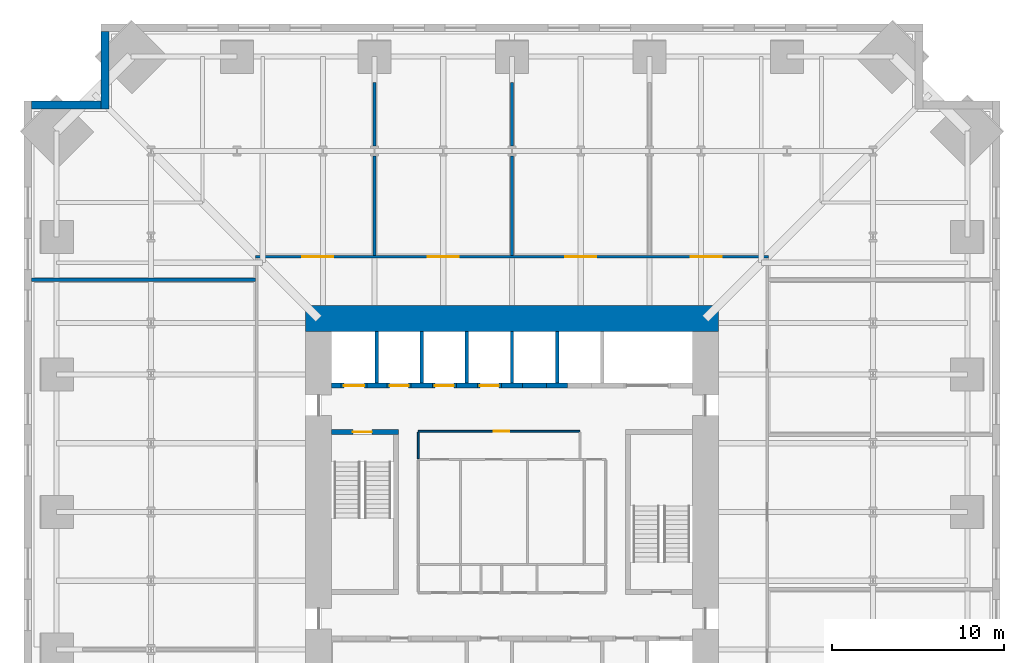
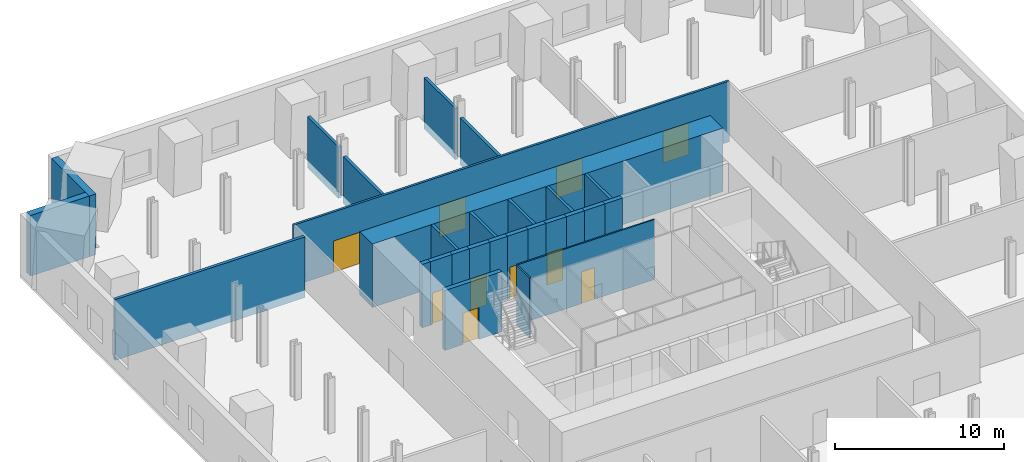
# One storey, part 6 of 8: 28 walls, 10 doors, 10 openings.
"""IFC4 building model written with IfcOpenShell, lengths in metres."""

from ifc_helpers import new_model, si_unit, direction, frame, frame_2d, origin, place, context, subcontext, project, spatial, rectangle, extrude, material, layer, layer_set, type_object, element, fill, save


model = new_model("IFC4")

# Units and contexts
model_context = context("Model", 3, precision=1e-05, world=origin(), true_north=direction((0.0, 1.0)))
body_context = subcontext(model_context, "Body", "Model", "MODEL_VIEW")
ifc_project = project(units=[si_unit("LENGTHUNIT", "METRE"), si_unit("AREAUNIT", "SQUARE_METRE"), si_unit("VOLUMEUNIT", "CUBIC_METRE"), si_unit("PLANEANGLEUNIT", "RADIAN"), si_unit("MASSUNIT", "GRAM", prefix="KILO")], contexts=[model_context])

# Site, building, storey
site_placement = place(None, origin())
site = spatial("IfcSite", under=ifc_project, at=site_placement, CompositionType="ELEMENT")
building_placement = place(site_placement, origin())
building = spatial("IfcBuilding", under=site, at=building_placement, Name="Peilmerk Tower", CompositionType="ELEMENT")
storey_placement = place(building_placement, frame((0.0, 0.0, 109.0)))
storey = spatial("IfcBuildingStorey", under=building, at=storey_placement, Name="L21", CompositionType="ELEMENT", Elevation=109.0)

# Walls
ifc_material_1 = material(Name="Precast concrete C45/55, board-marked finish", Category="concrete")
ifc_layer_1 = layer(ifc_material_1, 0.449951171875)
ifc_layer_set_1 = layer_set([ifc_layer_1], Name="Precast concrete C45/55, board-marked finish")
wall_type_1 = type_object("IfcWallType", Name="EW1 450 precast concrete facade wall, board-marked", PredefinedType="SOLIDWALL", material=ifc_layer_set_1)
wall_1_placement = place(storey_placement, frame((-23.675048828125, 23.449951171875, 0.0), z_axis=(0.0, 0.0, 1.0), x_axis=(0.0, 1.0, 0.0)))
element("IfcWall", 1, at=wall_1_placement, inside=storey, type_object=wall_type_1, Name="Facade wall NWA L21", PredefinedType="SOLIDWALL", context=body_context, shape_type="SweptSolid", body=[
    extrude(rectangle(XDim=4.5, YDim=0.449951171875, at=frame_2d((2.25, 0.0))), origin(), (0.0, 0.0, 1.0), 4.39990234375),
])
wall_2_placement = place(storey_placement, frame((-23.89990234375, 23.675048828125, 0.0), z_axis=(0.0, 0.0, 1.0), x_axis=(-1.0, 0.0, 0.0)))
element("IfcWall", 2, at=wall_2_placement, inside=storey, type_object=wall_type_1, Name="Facade wall NWB L21", PredefinedType="SOLIDWALL", context=body_context, shape_type="SweptSolid", body=[
    extrude(rectangle(XDim=4.050048828125, YDim=0.449951171875, at=frame_2d((2.02490234375, 0.0))), origin(), (0.0, 0.0, 1.0), 4.39990234375),
])

# Wall, openings, doors
ifc_material_2 = material(Name="Calcium silicate block", Category="masonry")
ifc_layer_2 = layer(ifc_material_2, 0.14990234375)
ifc_layer_set_2 = layer_set([ifc_layer_2], Name="Calcium silicate block")
wall_type_2 = type_object("IfcWallType", Name="IW1 150 corridor partition, EI 60", PredefinedType="PARTITIONING", material=ifc_layer_set_2)
wall_3_placement = place(storey_placement, frame((-14.925048828125, 14.85009765625, 0.0), z_axis=(0.0, 0.0, 1.0), x_axis=(1.0, 0.0, 0.0)))
wall_3 = element("IfcWall", 3, at=wall_3_placement, inside=storey, type_object=wall_type_2, Name="Corridor wall N L21", PredefinedType="PARTITIONING", context=body_context, shape_type="SweptSolid", body=[
    extrude(rectangle(XDim=29.85009765625, YDim=0.14990234375, at=frame_2d((14.925048828125, 0.0))), origin(), (0.0, 0.0, 1.0), 4.39990234375),
])
opening_1_placement = place(wall_3_placement, frame((2.72509765625, 0.0, 0.0)))
opening_1 = element("IfcOpeningElement", 4, at=opening_1_placement, cuts=wall_3, Name="Opening D2", PredefinedType="OPENING", context=body_context, shape_type="SweptSolid", body=[
    extrude(rectangle(XDim=1.800048828125, YDim=2.300048828125, at=frame_2d((0.89990234375, 1.14990234375))), frame((0.0, 0.0849609375, 0.0), z_axis=(0.0, -1.0, 0.0), x_axis=(1.0, 0.0, 0.0)), (0.0, 0.0, 1.0), 0.169921875),
])
opening_2_placement = place(wall_3_placement, frame((10.02490234375, 0.0, 0.0)))
opening_2 = element("IfcOpeningElement", 5, at=opening_2_placement, cuts=wall_3, Name="Opening D2", PredefinedType="OPENING", context=body_context, shape_type="SweptSolid", body=[
    extrude(rectangle(XDim=1.800048828125, YDim=2.300048828125, at=frame_2d((0.89990234375, 1.14990234375))), frame((0.0, 0.0849609375, 0.0), z_axis=(0.0, -1.0, 0.0), x_axis=(1.0, 0.0, 0.0)), (0.0, 0.0, 1.0), 0.169921875),
])
opening_3_placement = place(wall_3_placement, frame((18.02490234375, 0.0, 0.0)))
opening_3 = element("IfcOpeningElement", 6, at=opening_3_placement, cuts=wall_3, Name="Opening D2", PredefinedType="OPENING", context=body_context, shape_type="SweptSolid", body=[
    extrude(rectangle(XDim=1.800048828125, YDim=2.300048828125, at=frame_2d((0.89990234375, 1.14990234375))), frame((0.0, 0.0849609375, 0.0), z_axis=(0.0, -1.0, 0.0), x_axis=(1.0, 0.0, 0.0)), (0.0, 0.0, 1.0), 0.169921875),
])
opening_4_placement = place(wall_3_placement, frame((25.324951171875, 0.0, 0.0)))
opening_4 = element("IfcOpeningElement", 7, at=opening_4_placement, cuts=wall_3, Name="Opening D2", PredefinedType="OPENING", context=body_context, shape_type="SweptSolid", body=[
    extrude(rectangle(XDim=1.800048828125, YDim=2.300048828125, at=frame_2d((0.89990234375, 1.14990234375))), frame((0.0, 0.0849609375, 0.0), z_axis=(0.0, -1.0, 0.0), x_axis=(1.0, 0.0, 0.0)), (0.0, 0.0, 1.0), 0.169921875),
])
ifc_material_3 = material(Name="Steel door in steel frame", Category="steel")
door_type_1 = type_object("IfcDoorType", Name="D2 1800x2300 double door, EI2 60", OperationType="DOUBLE_DOOR_DOUBLE_SWING", PredefinedType="DOOR", material=ifc_material_3)
door_1_placement = place(opening_1_placement, origin())
door_1 = element("IfcDoor", 8, at=door_1_placement, inside=storey, type_object=door_type_1, Name="Door Fibre distribution room A L21", OperationType="DOUBLE_DOOR_DOUBLE_SWING", OverallHeight=2.300048828125, OverallWidth=1.800048828125, PredefinedType="DOOR", context=body_context, shape_type="SweptSolid", body=[
    extrude(rectangle(XDim=1.800048828125, YDim=2.300048828125, at=frame_2d((0.89990234375, 1.14990234375))), frame((0.0, 0.02490234375, 0.0), z_axis=(0.0, -1.0, 0.0), x_axis=(1.0, 0.0, 0.0)), (0.0, 0.0, 1.0), 0.050048828125),
])
fill(opening_1, door_1)
door_2_placement = place(opening_2_placement, origin())
door_2 = element("IfcDoor", 9, at=door_2_placement, inside=storey, type_object=door_type_1, Name="Door Cross-connect room A L21", OperationType="DOUBLE_DOOR_DOUBLE_SWING", OverallHeight=2.300048828125, OverallWidth=1.800048828125, PredefinedType="DOOR", context=body_context, shape_type="SweptSolid", body=[
    extrude(rectangle(XDim=1.800048828125, YDim=2.300048828125, at=frame_2d((0.89990234375, 1.14990234375))), frame((0.0, 0.02490234375, 0.0), z_axis=(0.0, -1.0, 0.0), x_axis=(1.0, 0.0, 0.0)), (0.0, 0.0, 1.0), 0.050048828125),
])
fill(opening_2, door_2)
door_3_placement = place(opening_3_placement, origin())
door_3 = element("IfcDoor", 10, at=door_3_placement, inside=storey, type_object=door_type_1, Name="Door Cross-connect room B L21", OperationType="DOUBLE_DOOR_DOUBLE_SWING", OverallHeight=2.300048828125, OverallWidth=1.800048828125, PredefinedType="DOOR", context=body_context, shape_type="SweptSolid", body=[
    extrude(rectangle(XDim=1.800048828125, YDim=2.300048828125, at=frame_2d((0.89990234375, 1.14990234375))), frame((0.0, 0.02490234375, 0.0), z_axis=(0.0, -1.0, 0.0), x_axis=(1.0, 0.0, 0.0)), (0.0, 0.0, 1.0), 0.050048828125),
])
fill(opening_3, door_3)
door_4_placement = place(opening_4_placement, origin())
door_4 = element("IfcDoor", 11, at=door_4_placement, inside=storey, type_object=door_type_1, Name="Door Fibre distribution room B L21", OperationType="DOUBLE_DOOR_DOUBLE_SWING", OverallHeight=2.300048828125, OverallWidth=1.800048828125, PredefinedType="DOOR", context=body_context, shape_type="SweptSolid", body=[
    extrude(rectangle(XDim=1.800048828125, YDim=2.300048828125, at=frame_2d((0.89990234375, 1.14990234375))), frame((0.0, 0.02490234375, 0.0), z_axis=(0.0, -1.0, 0.0), x_axis=(1.0, 0.0, 0.0)), (0.0, 0.0, 1.0), 0.050048828125),
])
fill(opening_4, door_4)

# Walls
ifc_layer_3 = layer(ifc_material_2, 0.199951171875)
ifc_layer_set_3 = layer_set([ifc_layer_3], Name="Calcium silicate block")
wall_type_3 = type_object("IfcWallType", Name="IW2 200 room separating wall, EI 120", PredefinedType="PARTITIONING", material=ifc_layer_set_3)
wall_4_placement = place(storey_placement, frame((-27.949951171875, 13.5, 0.0), z_axis=(0.0, 0.0, 1.0), x_axis=(1.0, 0.0, 0.0)))
element("IfcWall", 12, at=wall_4_placement, inside=storey, type_object=wall_type_3, Name="Room separating wall NW L21", PredefinedType="PARTITIONING", context=body_context, shape_type="SweptSolid", body=[
    extrude(rectangle(XDim=13.02490234375, YDim=0.199951171875, at=frame_2d((6.512451171875, 0.0))), origin(), (0.0, 0.0, 1.0), 4.39990234375),
])
wall_5_placement = place(storey_placement, frame((-8.0, 14.925048828125, 0.0), z_axis=(0.0, 0.0, 1.0), x_axis=(0.0, 1.0, 0.0)))
element("IfcWall", 13, at=wall_5_placement, inside=storey, type_object=wall_type_3, Name="Room separating wall N1 L21", PredefinedType="PARTITIONING", context=body_context, shape_type="SweptSolid", body=[
    extrude(rectangle(XDim=5.79052734375, YDim=0.199951171875, at=frame_2d((2.895263671875, 0.0))), origin(), (0.0, 0.0, 1.0), 3.39208984375),
])
wall_6_placement = place(storey_placement, frame((-8.0, 21.284423828125, 0.0), z_axis=(0.0, 0.0, 1.0), x_axis=(0.0, 1.0, 0.0)))
element("IfcWall", 14, at=wall_6_placement, inside=storey, type_object=wall_type_3, Name="Room separating wall N1b L21", PredefinedType="PARTITIONING", context=body_context, shape_type="SweptSolid", body=[
    extrude(rectangle(XDim=3.688232421875, YDim=0.199951171875, at=frame_2d((1.84423828125, 0.0))), origin(), (0.0, 0.0, 1.0), 3.7099609375),
])
wall_7_placement = place(storey_placement, frame((0.0, 14.925048828125, 0.0), z_axis=(0.0, 0.0, 1.0), x_axis=(0.0, 1.0, 0.0)))
element("IfcWall", 15, at=wall_7_placement, inside=storey, type_object=wall_type_3, Name="Room separating wall N2 L21", PredefinedType="PARTITIONING", context=body_context, shape_type="SweptSolid", body=[
    extrude(rectangle(XDim=5.79052734375, YDim=0.199951171875, at=frame_2d((2.895263671875, 0.0))), origin(), (0.0, 0.0, 1.0), 3.39208984375),
])
wall_8_placement = place(storey_placement, frame((0.0, 21.284423828125, 0.0), z_axis=(0.0, 0.0, 1.0), x_axis=(0.0, 1.0, 0.0)))
element("IfcWall", 16, at=wall_8_placement, inside=storey, type_object=wall_type_3, Name="Room separating wall N2b L21", PredefinedType="PARTITIONING", context=body_context, shape_type="SweptSolid", body=[
    extrude(rectangle(XDim=3.688232421875, YDim=0.199951171875, at=frame_2d((1.84423828125, 0.0))), origin(), (0.0, 0.0, 1.0), 3.7099609375),
])

# Wall, opening, door
ifc_material_4 = material(Name="Concrete C35/45", Category="concrete")
ifc_layer_4 = layer(ifc_material_4, 0.300048828125)
ifc_layer_set_4 = layer_set([ifc_layer_4], Name="Concrete C35/45")
wall_type_4 = type_object("IfcWallType", Name="IW3 300 concrete stair enclosure wall, EI 120", PredefinedType="SOLIDWALL", material=ifc_layer_set_4)
wall_9_placement = place(storey_placement, frame((-10.5, 4.64990234375, 0.0), z_axis=(0.0, 0.0, 1.0), x_axis=(1.0, 0.0, 0.0)))
wall_9 = element("IfcWall", 17, at=wall_9_placement, inside=storey, type_object=wall_type_4, Name="Stair 1 enclosure L21", PredefinedType="SOLIDWALL", context=body_context, shape_type="SweptSolid", body=[
    extrude(rectangle(XDim=3.89990234375, YDim=0.300048828125, at=frame_2d((1.949951171875, 0.0))), origin(), (0.0, 0.0, 1.0), 4.35009765625),
])
opening_5_placement = place(wall_9_placement, frame((1.25, 0.0, 0.0)))
opening_5 = element("IfcOpeningElement", 18, at=opening_5_placement, cuts=wall_9, Name="Opening D4", PredefinedType="OPENING", context=body_context, shape_type="SweptSolid", body=[
    extrude(rectangle(XDim=1.10009765625, YDim=2.300048828125, at=frame_2d((0.550048828125, 1.14990234375))), frame((0.0, 0.159912109375, 0.0), z_axis=(0.0, -1.0, 0.0), x_axis=(1.0, 0.0, 0.0)), (0.0, 0.0, 1.0), 0.320068359375),
])
door_type_2 = type_object("IfcDoorType", Name="D4 1100x2300 stair door, EI2 60", OperationType="SINGLE_SWING_RIGHT", PredefinedType="DOOR", material=ifc_material_3)
door_5_placement = place(opening_5_placement, frame((1.10009765625, 0.0, 0.0), z_axis=(0.0, 0.0, 1.0), x_axis=(-1.0, 0.0, 0.0)))
door_5 = element("IfcDoor", 19, at=door_5_placement, inside=storey, type_object=door_type_2, Name="Stair 1 door L21", OperationType="SINGLE_SWING_RIGHT", OverallHeight=2.300048828125, OverallWidth=1.10009765625, PredefinedType="DOOR", context=body_context, shape_type="SweptSolid", body=[
    extrude(rectangle(XDim=1.10009765625, YDim=2.300048828125, at=frame_2d((0.550048828125, 1.14990234375))), frame((0.0, 0.02490234375, 0.0), z_axis=(0.0, -1.0, 0.0), x_axis=(1.0, 0.0, 0.0)), (0.0, 0.0, 1.0), 0.050048828125),
])
fill(opening_5, door_5)

ifc_material_5 = material(Name="Fire-resisting plasterboard on steel studs", Category="steel")
ifc_layer_5 = layer(ifc_material_5, 0.10009765625)
ifc_layer_set_5 = layer_set([ifc_layer_5], Name="Fire-resisting plasterboard on steel studs")
wall_type_5 = type_object("IfcWallType", Name="IW9 100 WC lobby wall, EI 30", PredefinedType="PARTITIONING", material=ifc_layer_set_5)
wall_10_placement = place(storey_placement, frame((-5.449951171875, 4.699951171875, 0.0), z_axis=(0.0, 0.0, 1.0), x_axis=(1.0, 0.0, 0.0)))
wall_10 = element("IfcWall", 20, at=wall_10_placement, inside=storey, type_object=wall_type_5, Name="WC lobby wall L21", PredefinedType="PARTITIONING", context=body_context, shape_type="SweptSolid", body=[
    extrude(rectangle(XDim=9.39990234375, YDim=0.10009765625, at=frame_2d((4.699951171875, 0.0))), origin(), (0.0, 0.0, 1.0), 4.35009765625),
])
opening_6_placement = place(wall_10_placement, frame((4.39990234375, 0.0, 0.0)))
opening_6 = element("IfcOpeningElement", 21, at=opening_6_placement, cuts=wall_10, Name="Opening D11", PredefinedType="OPENING", context=body_context, shape_type="SweptSolid", body=[
    extrude(rectangle(XDim=0.89990234375, YDim=2.300048828125, at=frame_2d((0.449951171875, 1.14990234375))), frame((0.0, 0.06005859375, 0.0), z_axis=(0.0, -1.0, 0.0), x_axis=(1.0, 0.0, 0.0)), (0.0, 0.0, 1.0), 0.1201171875),
])
ifc_material_6 = material(Name="Timber door in steel frame", Category="steel")
door_type_3 = type_object("IfcDoorType", Name="D11 900x2300 WC lobby door, EI2 30", OperationType="SINGLE_SWING_LEFT", PredefinedType="DOOR", material=ifc_material_6)
door_6_placement = place(opening_6_placement, frame((0.89990234375, 0.0, 0.0), z_axis=(0.0, 0.0, 1.0), x_axis=(-1.0, 0.0, 0.0)))
door_6 = element("IfcDoor", 22, at=door_6_placement, inside=storey, type_object=door_type_3, Name="WC lobby door L21", OperationType="SINGLE_SWING_LEFT", OverallHeight=2.300048828125, OverallWidth=0.89990234375, PredefinedType="DOOR", context=body_context, shape_type="SweptSolid", body=[
    extrude(rectangle(XDim=0.89990234375, YDim=2.300048828125, at=frame_2d((0.449951171875, 1.14990234375))), frame((0.0, 0.02490234375, 0.0), z_axis=(0.0, -1.0, 0.0), x_axis=(1.0, 0.0, 0.0)), (0.0, 0.0, 1.0), 0.050048828125),
])
fill(opening_6, door_6)

# Walls
wall_11_placement = place(storey_placement, frame((-5.449951171875, 3.10009765625, 0.0), z_axis=(0.0, 0.0, 1.0), x_axis=(0.0, 1.0, 0.0)))
element("IfcWall", 23, at=wall_11_placement, inside=storey, type_object=wall_type_5, Name="WC lobby wall L21", PredefinedType="PARTITIONING", context=body_context, shape_type="SweptSolid", body=[
    extrude(rectangle(XDim=1.5498046875, YDim=0.10009765625, at=frame_2d((0.77490234375, 0.0))), origin(), (0.0, 0.0, 1.0), 4.35009765625),
])
ifc_layer_6 = layer(ifc_material_2, 0.199951171875)
ifc_layer_set_6 = layer_set([ifc_layer_6], Name="Calcium silicate block")
wall_type_6 = type_object("IfcWallType", Name="SH1 200 shaft dividing wall, EI 120", PredefinedType="PARTITIONING", material=ifc_layer_set_6)
for number, where, z_axis, x_axis, name in (
    (24, (-7.875, 7.5, 0.0), (0.0, 0.0, 1.0), (0.0, 1.0, 0.0), "Shaft wall N FL1 L21"),
    (25, (-5.25, 7.5, 0.0), (0.0, 0.0, 1.0), (0.0, 1.0, 0.0), "Shaft wall N A1 L21"),
    (26, (-2.625, 7.5, 0.0), (0.0, 0.0, 1.0), (0.0, 1.0, 0.0), "Shaft wall N A2 L21"),
    (27, (0.0, 7.5, 0.0), (0.0, 0.0, 1.0), (0.0, 1.0, 0.0), "Shaft wall N A3 L21"),
    (28, (2.625, 7.5, 0.0), (0.0, 0.0, 1.0), (0.0, 1.0, 0.0), "Shaft wall N S1 L21"),
):
    element("IfcWall", number, at=place(storey_placement, frame(where, z_axis=z_axis, x_axis=x_axis)), inside=storey, type_object=wall_type_6, Name=name, PredefinedType="PARTITIONING", context=body_context, shape_type="SweptSolid", body=[
        extrude(rectangle(XDim=3.0, YDim=0.199951171875, at=frame_2d((1.5, 0.0))), origin(), (0.0, 0.0, 1.0), 4.60009765625),
    ])

# Wall, opening, door
ifc_layer_7 = layer(ifc_material_2, 0.300048828125)
ifc_layer_set_7 = layer_set([ifc_layer_7], Name="Calcium silicate block")
wall_type_7 = type_object("IfcWallType", Name="SH2 300 lift landing door panel, EI 120", PredefinedType="PARTITIONING", material=ifc_layer_set_7)
wall_12_placement = place(storey_placement, frame((-9.9375, 7.35009765625, 0.0), z_axis=(0.0, 0.0, 1.0), x_axis=(1.0, 0.0, 0.0)))
wall_12 = element("IfcWall", 29, at=wall_12_placement, inside=storey, type_object=wall_type_7, Name="Lift door panel N FL1 L21", PredefinedType="PARTITIONING", context=body_context, shape_type="SweptSolid", body=[
    extrude(rectangle(XDim=1.5, YDim=0.300048828125, at=frame_2d((0.75, 0.0))), origin(), (0.0, 0.0, 1.0), 4.60009765625),
])
opening_7_placement = place(wall_12_placement, frame((0.14990234375, 0.0, 0.0)))
opening_7 = element("IfcOpeningElement", 30, at=opening_7_placement, cuts=wall_12, Name="Opening LD2", PredefinedType="OPENING", context=body_context, shape_type="SweptSolid", body=[
    extrude(rectangle(XDim=1.199951171875, YDim=2.300048828125, at=frame_2d((0.60009765625, 1.14990234375))), frame((0.0, 0.159912109375, 0.0), z_axis=(0.0, -1.0, 0.0), x_axis=(1.0, 0.0, 0.0)), (0.0, 0.0, 1.0), 0.320068359375),
])
ifc_material_7 = material(Name="Stainless steel landing door", Category="steel")
door_type_4 = type_object("IfcDoorType", Name="LD2 1200x2300 lift landing door, sliding, EI2 60", OperationType="SLIDING_TO_LEFT", PredefinedType="DOOR", material=ifc_material_7)
door_7_placement = place(opening_7_placement, frame((1.199951171875, 0.0, 0.0), z_axis=(0.0, 0.0, 1.0), x_axis=(-1.0, 0.0, 0.0)))
door_7 = element("IfcDoor", 31, at=door_7_placement, inside=storey, type_object=door_type_4, Name="Lift landing door FL1 L21", OperationType="SLIDING_TO_LEFT", OverallHeight=2.300048828125, OverallWidth=1.199951171875, PredefinedType="DOOR", context=body_context, shape_type="SweptSolid", body=[
    extrude(rectangle(XDim=1.199951171875, YDim=2.300048828125, at=frame_2d((0.60009765625, 1.14990234375))), frame((0.0, 0.02490234375, 0.0), z_axis=(0.0, -1.0, 0.0), x_axis=(1.0, 0.0, 0.0)), (0.0, 0.0, 1.0), 0.050048828125),
])
fill(opening_7, door_7)

wall_13_placement = place(storey_placement, frame((-7.262451171875, 7.35009765625, 0.0), z_axis=(0.0, 0.0, 1.0), x_axis=(1.0, 0.0, 0.0)))
wall_13 = element("IfcWall", 32, at=wall_13_placement, inside=storey, type_object=wall_type_7, Name="Lift door panel N A1 L21", PredefinedType="PARTITIONING", context=body_context, shape_type="SweptSolid", body=[
    extrude(rectangle(XDim=1.39990234375, YDim=0.300048828125, at=frame_2d((0.699951171875, 0.0))), origin(), (0.0, 0.0, 1.0), 4.60009765625),
])
opening_8_placement = place(wall_13_placement, frame((0.14990234375, 0.0, 0.0)))
opening_8 = element("IfcOpeningElement", 33, at=opening_8_placement, cuts=wall_13, Name="Opening LD1", PredefinedType="OPENING", context=body_context, shape_type="SweptSolid", body=[
    extrude(rectangle(XDim=1.10009765625, YDim=2.300048828125, at=frame_2d((0.550048828125, 1.14990234375))), frame((0.0, 0.159912109375, 0.0), z_axis=(0.0, -1.0, 0.0), x_axis=(1.0, 0.0, 0.0)), (0.0, 0.0, 1.0), 0.320068359375),
])
door_type_5 = type_object("IfcDoorType", Name="LD1 1100x2300 lift landing door, sliding, EI2 60", OperationType="SLIDING_TO_LEFT", PredefinedType="DOOR", material=ifc_material_7)
door_8_placement = place(opening_8_placement, frame((1.10009765625, 0.0, 0.0), z_axis=(0.0, 0.0, 1.0), x_axis=(-1.0, 0.0, 0.0)))
door_8 = element("IfcDoor", 34, at=door_8_placement, inside=storey, type_object=door_type_5, Name="Lift landing door A1 L21", OperationType="SLIDING_TO_LEFT", OverallHeight=2.300048828125, OverallWidth=1.10009765625, PredefinedType="DOOR", context=body_context, shape_type="SweptSolid", body=[
    extrude(rectangle(XDim=1.10009765625, YDim=2.300048828125, at=frame_2d((0.550048828125, 1.14990234375))), frame((0.0, 0.02490234375, 0.0), z_axis=(0.0, -1.0, 0.0), x_axis=(1.0, 0.0, 0.0)), (0.0, 0.0, 1.0), 0.050048828125),
])
fill(opening_8, door_8)

wall_14_placement = place(storey_placement, frame((-4.637451171875, 7.35009765625, 0.0), z_axis=(0.0, 0.0, 1.0), x_axis=(1.0, 0.0, 0.0)))
wall_14 = element("IfcWall", 35, at=wall_14_placement, inside=storey, type_object=wall_type_7, Name="Lift door panel N A2 L21", PredefinedType="PARTITIONING", context=body_context, shape_type="SweptSolid", body=[
    extrude(rectangle(XDim=1.39990234375, YDim=0.300048828125, at=frame_2d((0.699951171875, 0.0))), origin(), (0.0, 0.0, 1.0), 4.60009765625),
])
opening_9_placement = place(wall_14_placement, frame((0.14990234375, 0.0, 0.0)))
opening_9 = element("IfcOpeningElement", 36, at=opening_9_placement, cuts=wall_14, Name="Opening LD1", PredefinedType="OPENING", context=body_context, shape_type="SweptSolid", body=[
    extrude(rectangle(XDim=1.10009765625, YDim=2.300048828125, at=frame_2d((0.550048828125, 1.14990234375))), frame((0.0, 0.159912109375, 0.0), z_axis=(0.0, -1.0, 0.0), x_axis=(1.0, 0.0, 0.0)), (0.0, 0.0, 1.0), 0.320068359375),
])
door_9_placement = place(opening_9_placement, frame((1.10009765625, 0.0, 0.0), z_axis=(0.0, 0.0, 1.0), x_axis=(-1.0, 0.0, 0.0)))
door_9 = element("IfcDoor", 37, at=door_9_placement, inside=storey, type_object=door_type_5, Name="Lift landing door A2 L21", OperationType="SLIDING_TO_LEFT", OverallHeight=2.300048828125, OverallWidth=1.10009765625, PredefinedType="DOOR", context=body_context, shape_type="SweptSolid", body=[
    extrude(rectangle(XDim=1.10009765625, YDim=2.300048828125, at=frame_2d((0.550048828125, 1.14990234375))), frame((0.0, 0.02490234375, 0.0), z_axis=(0.0, -1.0, 0.0), x_axis=(1.0, 0.0, 0.0)), (0.0, 0.0, 1.0), 0.050048828125),
])
fill(opening_9, door_9)

wall_15_placement = place(storey_placement, frame((-2.012451171875, 7.35009765625, 0.0), z_axis=(0.0, 0.0, 1.0), x_axis=(1.0, 0.0, 0.0)))
wall_15 = element("IfcWall", 38, at=wall_15_placement, inside=storey, type_object=wall_type_7, Name="Lift door panel N A3 L21", PredefinedType="PARTITIONING", context=body_context, shape_type="SweptSolid", body=[
    extrude(rectangle(XDim=1.39990234375, YDim=0.300048828125, at=frame_2d((0.699951171875, 0.0))), origin(), (0.0, 0.0, 1.0), 4.60009765625),
])
opening_10_placement = place(wall_15_placement, frame((0.14990234375, 0.0, 0.0)))
opening_10 = element("IfcOpeningElement", 39, at=opening_10_placement, cuts=wall_15, Name="Opening LD1", PredefinedType="OPENING", context=body_context, shape_type="SweptSolid", body=[
    extrude(rectangle(XDim=1.10009765625, YDim=2.300048828125, at=frame_2d((0.550048828125, 1.14990234375))), frame((0.0, 0.159912109375, 0.0), z_axis=(0.0, -1.0, 0.0), x_axis=(1.0, 0.0, 0.0)), (0.0, 0.0, 1.0), 0.320068359375),
])
door_10_placement = place(opening_10_placement, frame((1.10009765625, 0.0, 0.0), z_axis=(0.0, 0.0, 1.0), x_axis=(-1.0, 0.0, 0.0)))
door_10 = element("IfcDoor", 40, at=door_10_placement, inside=storey, type_object=door_type_5, Name="Lift landing door A3 L21", OperationType="SLIDING_TO_LEFT", OverallHeight=2.300048828125, OverallWidth=1.10009765625, PredefinedType="DOOR", context=body_context, shape_type="SweptSolid", body=[
    extrude(rectangle(XDim=1.10009765625, YDim=2.300048828125, at=frame_2d((0.550048828125, 1.14990234375))), frame((0.0, 0.02490234375, 0.0), z_axis=(0.0, -1.0, 0.0), x_axis=(1.0, 0.0, 0.0)), (0.0, 0.0, 1.0), 0.050048828125),
])
fill(opening_10, door_10)

# Walls
wall_16_placement = place(storey_placement, frame((0.612548828125, 7.35009765625, 0.0), z_axis=(0.0, 0.0, 1.0), x_axis=(1.0, 0.0, 0.0)))
element("IfcWall", 41, at=wall_16_placement, inside=storey, type_object=wall_type_7, Name="Lift door panel N S1 L21", PredefinedType="PARTITIONING", context=body_context, shape_type="SweptSolid", body=[
    extrude(rectangle(XDim=1.39990234375, YDim=0.300048828125, at=frame_2d((0.699951171875, 0.0))), origin(), (0.0, 0.0, 1.0), 4.60009765625),
])
ifc_material_8 = material(Name="Concrete C55/67", Category="concrete")
ifc_layer_8 = layer(ifc_material_8, 1.5)
ifc_layer_set_8 = layer_set([ifc_layer_8], Name="Concrete C55/67")
wall_type_8 = type_object("IfcWallType", Name="SW1 1500 core wall", PredefinedType="SHEAR", material=ifc_layer_set_8)
wall_17_placement = place(storey_placement, frame((-12.0, 11.25, 0.0), z_axis=(0.0, 0.0, 1.0), x_axis=(1.0, 0.0, 0.0)))
element("IfcWall", 42, at=wall_17_placement, inside=storey, type_object=wall_type_8, Name="Core wall N L21", PredefinedType="SHEAR", context=body_context, shape_type="SweptSolid", body=[
    extrude(rectangle(XDim=24.0, YDim=1.5, at=frame_2d((12.0, 0.0))), origin(), (0.0, 0.0, 1.0), 4.60009765625),
])
ifc_layer_9 = layer(ifc_material_8, 0.300048828125)
ifc_layer_set_9 = layer_set([ifc_layer_9], Name="Concrete C55/67")
wall_type_9 = type_object("IfcWallType", Name="SW2 300 lift bank pier", PredefinedType="SHEAR", material=ifc_layer_set_9)
wall_18_placement = place(storey_placement, frame((-10.5, 7.35009765625, 0.0), z_axis=(0.0, 0.0, 1.0), x_axis=(1.0, 0.0, 0.0)))
element("IfcWall", 43, at=wall_18_placement, inside=storey, type_object=wall_type_9, Name="Lift bank pier N L21", PredefinedType="SHEAR", context=body_context, shape_type="SweptSolid", body=[
    extrude(rectangle(XDim=0.5625, YDim=0.300048828125, at=frame_2d((0.28125, 0.0))), origin(), (0.0, 0.0, 1.0), 4.60009765625),
])
wall_19_placement = place(storey_placement, frame((-8.4375, 7.35009765625, 0.0), z_axis=(0.0, 0.0, 1.0), x_axis=(1.0, 0.0, 0.0)))
element("IfcWall", 44, at=wall_19_placement, inside=storey, type_object=wall_type_9, Name="Lift bank pier N L21", PredefinedType="SHEAR", context=body_context, shape_type="SweptSolid", body=[
    extrude(rectangle(XDim=1.175048828125, YDim=0.300048828125, at=frame_2d((0.58740234375, 0.0))), origin(), (0.0, 0.0, 1.0), 4.60009765625),
])
for number, where, z_axis, x_axis, name in (
    (45, (-5.862548828125, 7.35009765625, 0.0), (0.0, 0.0, 1.0), (1.0, 0.0, 0.0), "Lift bank pier N L21"),
    (46, (-3.237548828125, 7.35009765625, 0.0), (0.0, 0.0, 1.0), (1.0, 0.0, 0.0), "Lift bank pier N L21"),
    (47, (-0.612548828125, 7.35009765625, 0.0), (0.0, 0.0, 1.0), (1.0, 0.0, 0.0), "Lift bank pier N L21"),
    (48, (2.012451171875, 7.35009765625, 0.0), (0.0, 0.0, 1.0), (1.0, 0.0, 0.0), "Lift bank pier N L21"),
):
    element("IfcWall", number, at=place(storey_placement, frame(where, z_axis=z_axis, x_axis=x_axis)), inside=storey, type_object=wall_type_9, Name=name, PredefinedType="SHEAR", context=body_context, shape_type="SweptSolid", body=[
        extrude(rectangle(XDim=1.22509765625, YDim=0.300048828125, at=frame_2d((0.612548828125, 0.0))), origin(), (0.0, 0.0, 1.0), 4.60009765625),
    ])

save(model, "model.ifc")
